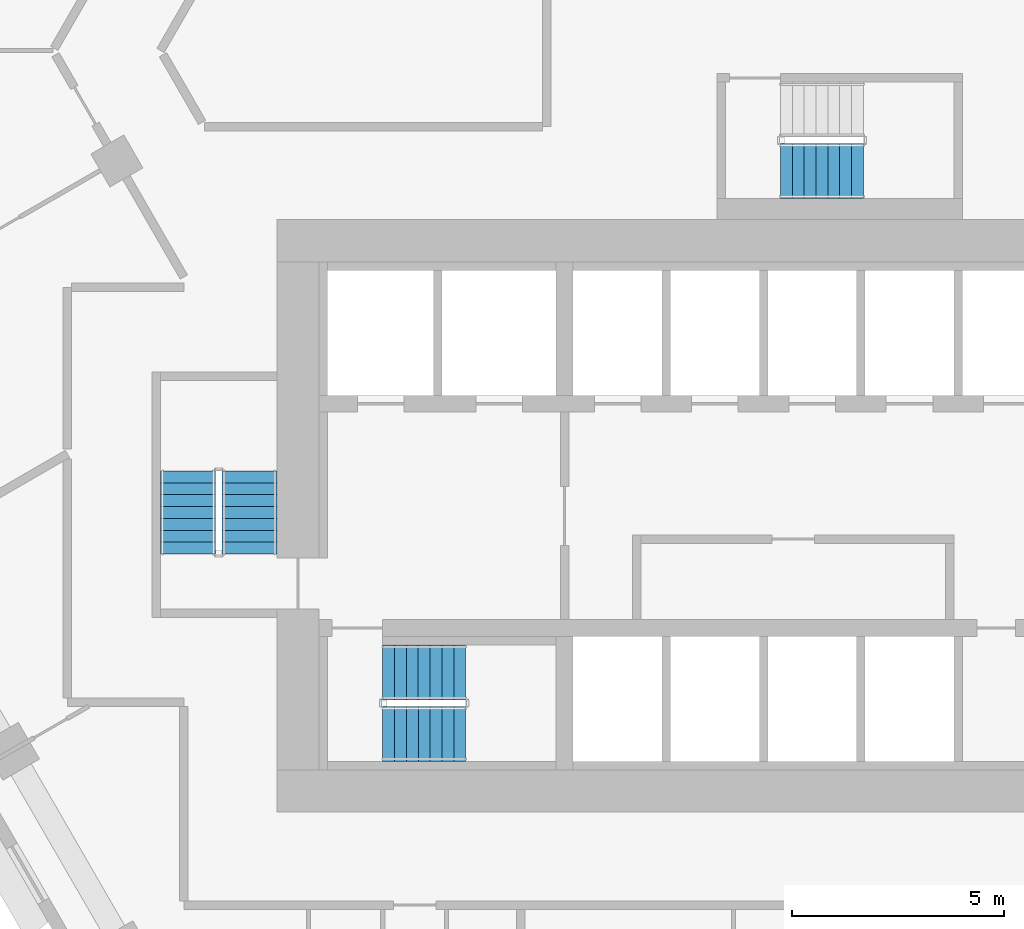
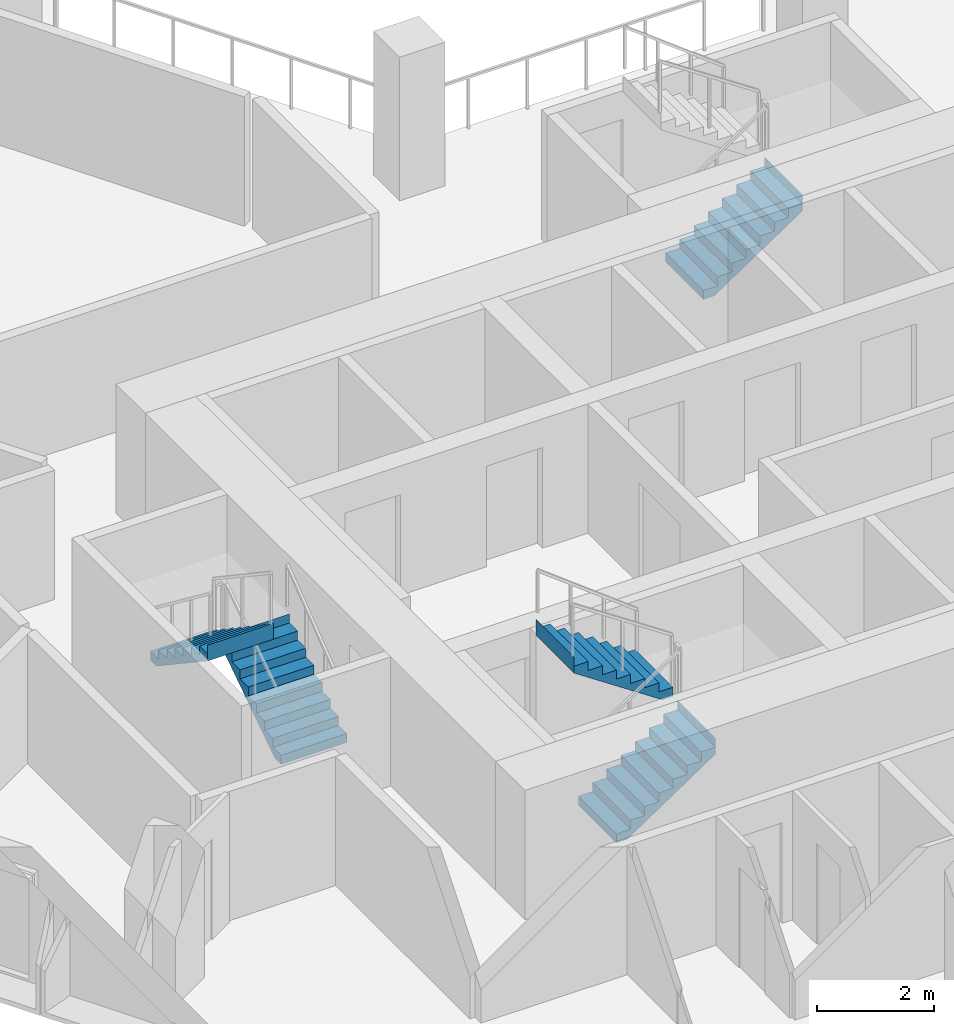
# One storey, part 10 of 15: 5 stair flights, 3 elements without a shape of their own.
"""IFC4 building model written with IfcOpenShell, lengths in metres."""

from ifc_helpers import new_model, si_unit, direction, frame, origin, place, context, subcontext, project, spatial, triangles, material, type_object, element, aggregate, save


model = new_model("IFC4")

# Units and contexts
model_context = context("Model", 3, precision=1e-05, world=origin(), true_north=direction((0.0, 1.0)))
body_context = subcontext(model_context, "Body", "Model", "MODEL_VIEW")
ifc_project = project(units=[si_unit("LENGTHUNIT", "METRE"), si_unit("AREAUNIT", "SQUARE_METRE"), si_unit("VOLUMEUNIT", "CUBIC_METRE"), si_unit("PLANEANGLEUNIT", "RADIAN"), si_unit("MASSUNIT", "GRAM", prefix="KILO")], contexts=[model_context])

# Site, building, storey
site_placement = place(None, origin())
site = spatial("IfcSite", under=ifc_project, at=site_placement, CompositionType="ELEMENT")
building_placement = place(site_placement, origin())
building = spatial("IfcBuilding", under=site, at=building_placement, Name="Beryl Residences", CompositionType="ELEMENT")
storey_placement = place(building_placement, frame((0.0, 0.0, 84.0)))
storey = spatial("IfcBuildingStorey", under=building, at=storey_placement, Name="L25", CompositionType="ELEMENT", Elevation=84.0)

# Stair, stair flights
ifc_material_1 = material(Name="Concrete C40/50", Category="concrete")
stair_type = type_object("IfcStairType", Name="ST1 protected exit stair, half-turn, 1300 mm flights", PredefinedType="HALF_TURN_STAIR", material=ifc_material_1)
stair_1_placement = place(storey_placement, origin())
stair_1 = element("IfcStair", 1, at=stair_1_placement, inside=storey, type_object=stair_type, Name="L25 PROTECTED EXIT STAIR ST-1", PredefinedType="HALF_TURN_STAIR")
ifc_material_2 = material(Name="Concrete C40/50", Category="concrete")
stair_flight_type = type_object("IfcStairFlightType", Name="SF1 stair flight 1300 mm", PredefinedType="STRAIGHT", material=ifc_material_2)
stair_flight_1_placement = place(storey_placement, frame((-10.800048828125, -17.14990234375, 0.0), z_axis=(0.0, 0.0, 1.0), x_axis=(1.0, 0.0, 0.0)))
stair_flight_1 = element("IfcStairFlight", 2, at=stair_flight_1_placement, type_object=stair_flight_type, Name="ST-1 flight 1", NumberOfRisers=8, NumberOfTreads=7, PredefinedType="STRAIGHT", RiserHeight=0.1875, TreadLength=0.28, context=body_context, shape_type="Tessellation", body=[
    triangles([(0.0, -0.64990234375, 0.0), (0.0, -0.324951171875, 0.0), (0.0, 0.0, 0.0), (0.0, 0.324951171875, 0.0), (0.0, 0.64990234375, 0.0), (0.0, -0.64990234375, 0.1875), (0.0, -0.324951171875, 0.1875), (0.0, 0.0, 0.1875), (0.0, 0.324951171875, 0.1875), (0.0, 0.64990234375, 0.1875), (0.280029296875, -0.64990234375, 0.1875), (0.280029296875, -0.324951171875, 0.1875), (0.280029296875, 0.0, 0.1875), (0.280029296875, 0.324951171875, 0.1875), (0.280029296875, 0.64990234375, 0.1875), (0.280029296875, -0.64990234375, 0.375), (0.280029296875, -0.324951171875, 0.375), (0.280029296875, 0.0, 0.375), (0.280029296875, 0.324951171875, 0.375), (0.280029296875, 0.64990234375, 0.375), (0.56005859375, -0.64990234375, 0.375), (0.56005859375, -0.324951171875, 0.375), (0.56005859375, 0.0, 0.375), (0.56005859375, 0.324951171875, 0.375), (0.56005859375, 0.64990234375, 0.375), (0.56005859375, -0.64990234375, 0.5625), (0.56005859375, -0.324951171875, 0.5625), (0.56005859375, 0.0, 0.5625), (0.56005859375, 0.324951171875, 0.5625), (0.56005859375, 0.64990234375, 0.5625), (0.840087890625, -0.64990234375, 0.5625), (0.840087890625, -0.324951171875, 0.5625), (0.840087890625, 0.0, 0.5625), (0.840087890625, 0.324951171875, 0.5625), (0.840087890625, 0.64990234375, 0.5625), (0.840087890625, -0.64990234375, 0.75), (0.840087890625, -0.324951171875, 0.75), (0.840087890625, 0.0, 0.75), (0.840087890625, 0.324951171875, 0.75), (0.840087890625, 0.64990234375, 0.75), (1.1201171875, -0.64990234375, 0.75), (1.1201171875, -0.324951171875, 0.75), (1.1201171875, 0.0, 0.75), (1.1201171875, 0.324951171875, 0.75), (1.1201171875, 0.64990234375, 0.75), (1.1201171875, -0.64990234375, 0.9375), (1.1201171875, -0.324951171875, 0.9375), (1.1201171875, 0.0, 0.9375), (1.1201171875, 0.324951171875, 0.9375), (1.1201171875, 0.64990234375, 0.9375), (1.39990234375, -0.64990234375, 0.9375), (1.39990234375, -0.324951171875, 0.9375), (1.39990234375, 0.0, 0.9375), (1.39990234375, 0.324951171875, 0.9375), (1.39990234375, 0.64990234375, 0.9375), (1.39990234375, -0.64990234375, 1.125), (1.39990234375, -0.324951171875, 1.125), (1.39990234375, 0.0, 1.125), (1.39990234375, 0.324951171875, 1.125), (1.39990234375, 0.64990234375, 1.125), (1.679931640625, -0.64990234375, 1.125), (1.679931640625, -0.324951171875, 1.125), (1.679931640625, 0.0, 1.125), (1.679931640625, 0.324951171875, 1.125), (1.679931640625, 0.64990234375, 1.125), (1.679931640625, -0.64990234375, 1.3125), (1.679931640625, -0.324951171875, 1.3125), (1.679931640625, 0.0, 1.3125), (1.679931640625, 0.324951171875, 1.3125), (1.679931640625, 0.64990234375, 1.3125), (1.9599609375, -0.64990234375, 1.3125), (1.9599609375, -0.324951171875, 1.3125), (1.9599609375, 0.0, 1.3125), (1.9599609375, 0.324951171875, 1.3125), (1.9599609375, 0.64990234375, 1.3125), (1.9599609375, -0.64990234375, 1.5), (1.9599609375, -0.324951171875, 1.5), (1.9599609375, 0.0, 1.5), (1.9599609375, 0.324951171875, 1.5), (1.9599609375, 0.64990234375, 1.5), (1.9609375, -0.64990234375, 1.5), (1.9609375, -0.324951171875, 1.5), (1.9609375, 0.0, 1.5), (1.9609375, 0.324951171875, 1.5), (1.9609375, 0.64990234375, 1.5), (1.9609375, -0.64990234375, 1.16796875), (1.9609375, -0.324951171875, 1.16796875), (1.9609375, 0.0, 1.16796875), (1.9609375, 0.324951171875, 1.16796875), (1.9609375, 0.64990234375, 1.16796875), (0.216796875, -0.64990234375, 0.0), (0.216796875, -0.324951171875, 0.0), (0.216796875, 0.0, 0.0), (0.216796875, 0.324951171875, 0.0), (0.216796875, 0.64990234375, 0.0)], [[1, 6, 7], [1, 7, 2], [2, 7, 8], [2, 8, 3], [3, 8, 9], [3, 9, 4], [4, 9, 10], [4, 10, 5], [6, 11, 12], [6, 12, 7], [7, 12, 13], [7, 13, 8], [8, 13, 14], [8, 14, 9], [9, 14, 15], [9, 15, 10], [11, 16, 17], [11, 17, 12], [12, 17, 18], [12, 18, 13], [13, 18, 19], [13, 19, 14], [14, 19, 20], [14, 20, 15], [16, 21, 22], [16, 22, 17], [17, 22, 23], [17, 23, 18], [18, 23, 24], [18, 24, 19], [19, 24, 25], [19, 25, 20], [21, 26, 27], [21, 27, 22], [22, 27, 28], [22, 28, 23], [23, 28, 29], [23, 29, 24], [24, 29, 30], [24, 30, 25], [26, 31, 32], [26, 32, 27], [27, 32, 33], [27, 33, 28], [28, 33, 34], [28, 34, 29], [29, 34, 35], [29, 35, 30], [31, 36, 37], [31, 37, 32], [32, 37, 38], [32, 38, 33], [33, 38, 39], [33, 39, 34], [34, 39, 40], [34, 40, 35], [36, 41, 42], [36, 42, 37], [37, 42, 43], [37, 43, 38], [38, 43, 44], [38, 44, 39], [39, 44, 45], [39, 45, 40], [41, 46, 47], [41, 47, 42], [42, 47, 48], [42, 48, 43], [43, 48, 49], [43, 49, 44], [44, 49, 50], [44, 50, 45], [46, 51, 52], [46, 52, 47], [47, 52, 53], [47, 53, 48], [48, 53, 54], [48, 54, 49], [49, 54, 55], [49, 55, 50], [51, 56, 57], [51, 57, 52], [52, 57, 58], [52, 58, 53], [53, 58, 59], [53, 59, 54], [54, 59, 60], [54, 60, 55], [56, 61, 62], [56, 62, 57], [57, 62, 63], [57, 63, 58], [58, 63, 64], [58, 64, 59], [59, 64, 65], [59, 65, 60], [61, 66, 67], [61, 67, 62], [62, 67, 68], [62, 68, 63], [63, 68, 69], [63, 69, 64], [64, 69, 70], [64, 70, 65], [66, 71, 72], [66, 72, 67], [67, 72, 73], [67, 73, 68], [68, 73, 74], [68, 74, 69], [69, 74, 75], [69, 75, 70], [71, 76, 77], [71, 77, 72], [72, 77, 78], [72, 78, 73], [73, 78, 79], [73, 79, 74], [74, 79, 80], [74, 80, 75], [76, 81, 82], [76, 82, 77], [77, 82, 83], [77, 83, 78], [78, 83, 84], [78, 84, 79], [79, 84, 85], [79, 85, 80], [81, 86, 87], [81, 87, 82], [82, 87, 88], [82, 88, 83], [83, 88, 89], [83, 89, 84], [84, 89, 90], [84, 90, 85], [86, 91, 92], [86, 92, 87], [87, 92, 93], [87, 93, 88], [88, 93, 94], [88, 94, 89], [89, 94, 95], [89, 95, 90], [91, 1, 2], [91, 2, 92], [92, 2, 3], [92, 3, 93], [93, 3, 4], [93, 4, 94], [94, 4, 5], [94, 5, 95], [1, 91, 86], [5, 90, 95], [86, 81, 76], [90, 80, 85], [86, 76, 71], [90, 75, 80], [86, 71, 66], [90, 70, 75], [86, 66, 61], [90, 65, 70], [61, 56, 51], [65, 55, 60], [86, 61, 51], [90, 55, 65], [51, 46, 41], [55, 45, 50], [86, 51, 41], [90, 45, 55], [41, 36, 31], [45, 35, 40], [86, 41, 31], [90, 35, 45], [31, 26, 21], [35, 25, 30], [86, 31, 21], [90, 25, 35], [21, 16, 11], [25, 15, 20], [86, 21, 11], [90, 15, 25], [1, 86, 11], [5, 15, 90], [11, 6, 1], [15, 5, 10]], closed=True),
])
stair_flight_2_placement = place(storey_placement, frame((-8.840087890625, -15.699951171875, 1.5), z_axis=(0.0, 0.0, 1.0), x_axis=(-1.0, 0.0, 0.0)))
stair_flight_2 = element("IfcStairFlight", 3, at=stair_flight_2_placement, type_object=stair_flight_type, Name="ST-1 flight 2", NumberOfRisers=8, NumberOfTreads=7, PredefinedType="STRAIGHT", RiserHeight=0.1875, TreadLength=0.28, context=body_context, shape_type="Tessellation", body=[
    triangles([(0.0, -0.64990234375, 0.0), (0.0, -0.324951171875, 0.0), (0.0, 0.0, 0.0), (0.0, 0.324951171875, 0.0), (0.0, 0.64990234375, 0.0), (0.0, -0.64990234375, 0.1875), (0.0, -0.324951171875, 0.1875), (0.0, 0.0, 0.1875), (0.0, 0.324951171875, 0.1875), (0.0, 0.64990234375, 0.1875), (0.280029296875, -0.64990234375, 0.1875), (0.280029296875, -0.324951171875, 0.1875), (0.280029296875, 0.0, 0.1875), (0.280029296875, 0.324951171875, 0.1875), (0.280029296875, 0.64990234375, 0.1875), (0.280029296875, -0.64990234375, 0.375), (0.280029296875, -0.324951171875, 0.375), (0.280029296875, 0.0, 0.375), (0.280029296875, 0.324951171875, 0.375), (0.280029296875, 0.64990234375, 0.375), (0.56005859375, -0.64990234375, 0.375), (0.56005859375, -0.324951171875, 0.375), (0.56005859375, 0.0, 0.375), (0.56005859375, 0.324951171875, 0.375), (0.56005859375, 0.64990234375, 0.375), (0.56005859375, -0.64990234375, 0.5625), (0.56005859375, -0.324951171875, 0.5625), (0.56005859375, 0.0, 0.5625), (0.56005859375, 0.324951171875, 0.5625), (0.56005859375, 0.64990234375, 0.5625), (0.840087890625, -0.64990234375, 0.5625), (0.840087890625, -0.324951171875, 0.5625), (0.840087890625, 0.0, 0.5625), (0.840087890625, 0.324951171875, 0.5625), (0.840087890625, 0.64990234375, 0.5625), (0.840087890625, -0.64990234375, 0.75), (0.840087890625, -0.324951171875, 0.75), (0.840087890625, 0.0, 0.75), (0.840087890625, 0.324951171875, 0.75), (0.840087890625, 0.64990234375, 0.75), (1.1201171875, -0.64990234375, 0.75), (1.1201171875, -0.324951171875, 0.75), (1.1201171875, 0.0, 0.75), (1.1201171875, 0.324951171875, 0.75), (1.1201171875, 0.64990234375, 0.75), (1.1201171875, -0.64990234375, 0.9375), (1.1201171875, -0.324951171875, 0.9375), (1.1201171875, 0.0, 0.9375), (1.1201171875, 0.324951171875, 0.9375), (1.1201171875, 0.64990234375, 0.9375), (1.39990234375, -0.64990234375, 0.9375), (1.39990234375, -0.324951171875, 0.9375), (1.39990234375, 0.0, 0.9375), (1.39990234375, 0.324951171875, 0.9375), (1.39990234375, 0.64990234375, 0.9375), (1.39990234375, -0.64990234375, 1.125), (1.39990234375, -0.324951171875, 1.125), (1.39990234375, 0.0, 1.125), (1.39990234375, 0.324951171875, 1.125), (1.39990234375, 0.64990234375, 1.125), (1.679931640625, -0.64990234375, 1.125), (1.679931640625, -0.324951171875, 1.125), (1.679931640625, 0.0, 1.125), (1.679931640625, 0.324951171875, 1.125), (1.679931640625, 0.64990234375, 1.125), (1.679931640625, -0.64990234375, 1.3125), (1.679931640625, -0.324951171875, 1.3125), (1.679931640625, 0.0, 1.3125), (1.679931640625, 0.324951171875, 1.3125), (1.679931640625, 0.64990234375, 1.3125), (1.9599609375, -0.64990234375, 1.3125), (1.9599609375, -0.324951171875, 1.3125), (1.9599609375, 0.0, 1.3125), (1.9599609375, 0.324951171875, 1.3125), (1.9599609375, 0.64990234375, 1.3125), (1.9599609375, -0.64990234375, 1.5), (1.9599609375, -0.324951171875, 1.5), (1.9599609375, 0.0, 1.5), (1.9599609375, 0.324951171875, 1.5), (1.9599609375, 0.64990234375, 1.5), (1.9609375, -0.64990234375, 1.5), (1.9609375, -0.324951171875, 1.5), (1.9609375, 0.0, 1.5), (1.9609375, 0.324951171875, 1.5), (1.9609375, 0.64990234375, 1.5), (1.9609375, -0.64990234375, 1.16796875), (1.9609375, -0.324951171875, 1.16796875), (1.9609375, 0.0, 1.16796875), (1.9609375, 0.324951171875, 1.16796875), (1.9609375, 0.64990234375, 1.16796875), (0.216796875, -0.64990234375, 0.0), (0.216796875, -0.324951171875, 0.0), (0.216796875, 0.0, 0.0), (0.216796875, 0.324951171875, 0.0), (0.216796875, 0.64990234375, 0.0)], [[1, 6, 7], [1, 7, 2], [2, 7, 8], [2, 8, 3], [3, 8, 9], [3, 9, 4], [4, 9, 10], [4, 10, 5], [6, 11, 12], [6, 12, 7], [7, 12, 13], [7, 13, 8], [8, 13, 14], [8, 14, 9], [9, 14, 15], [9, 15, 10], [11, 16, 17], [11, 17, 12], [12, 17, 18], [12, 18, 13], [13, 18, 19], [13, 19, 14], [14, 19, 20], [14, 20, 15], [16, 21, 22], [16, 22, 17], [17, 22, 23], [17, 23, 18], [18, 23, 24], [18, 24, 19], [19, 24, 25], [19, 25, 20], [21, 26, 27], [21, 27, 22], [22, 27, 28], [22, 28, 23], [23, 28, 29], [23, 29, 24], [24, 29, 30], [24, 30, 25], [26, 31, 32], [26, 32, 27], [27, 32, 33], [27, 33, 28], [28, 33, 34], [28, 34, 29], [29, 34, 35], [29, 35, 30], [31, 36, 37], [31, 37, 32], [32, 37, 38], [32, 38, 33], [33, 38, 39], [33, 39, 34], [34, 39, 40], [34, 40, 35], [36, 41, 42], [36, 42, 37], [37, 42, 43], [37, 43, 38], [38, 43, 44], [38, 44, 39], [39, 44, 45], [39, 45, 40], [41, 46, 47], [41, 47, 42], [42, 47, 48], [42, 48, 43], [43, 48, 49], [43, 49, 44], [44, 49, 50], [44, 50, 45], [46, 51, 52], [46, 52, 47], [47, 52, 53], [47, 53, 48], [48, 53, 54], [48, 54, 49], [49, 54, 55], [49, 55, 50], [51, 56, 57], [51, 57, 52], [52, 57, 58], [52, 58, 53], [53, 58, 59], [53, 59, 54], [54, 59, 60], [54, 60, 55], [56, 61, 62], [56, 62, 57], [57, 62, 63], [57, 63, 58], [58, 63, 64], [58, 64, 59], [59, 64, 65], [59, 65, 60], [61, 66, 67], [61, 67, 62], [62, 67, 68], [62, 68, 63], [63, 68, 69], [63, 69, 64], [64, 69, 70], [64, 70, 65], [66, 71, 72], [66, 72, 67], [67, 72, 73], [67, 73, 68], [68, 73, 74], [68, 74, 69], [69, 74, 75], [69, 75, 70], [71, 76, 77], [71, 77, 72], [72, 77, 78], [72, 78, 73], [73, 78, 79], [73, 79, 74], [74, 79, 80], [74, 80, 75], [76, 81, 82], [76, 82, 77], [77, 82, 83], [77, 83, 78], [78, 83, 84], [78, 84, 79], [79, 84, 85], [79, 85, 80], [81, 86, 87], [81, 87, 82], [82, 87, 88], [82, 88, 83], [83, 88, 89], [83, 89, 84], [84, 89, 90], [84, 90, 85], [86, 91, 92], [86, 92, 87], [87, 92, 93], [87, 93, 88], [88, 93, 94], [88, 94, 89], [89, 94, 95], [89, 95, 90], [91, 1, 2], [91, 2, 92], [92, 2, 3], [92, 3, 93], [93, 3, 4], [93, 4, 94], [94, 4, 5], [94, 5, 95], [1, 91, 86], [5, 90, 95], [86, 81, 76], [90, 80, 85], [86, 76, 71], [90, 75, 80], [86, 71, 66], [90, 70, 75], [86, 66, 61], [90, 65, 70], [61, 56, 51], [65, 55, 60], [86, 61, 51], [90, 55, 65], [51, 46, 41], [55, 45, 50], [86, 51, 41], [90, 45, 55], [41, 36, 31], [45, 35, 40], [86, 41, 31], [90, 35, 45], [31, 26, 21], [35, 25, 30], [86, 31, 21], [90, 25, 35], [21, 16, 11], [25, 15, 20], [86, 21, 11], [90, 15, 25], [1, 86, 11], [5, 15, 90], [11, 6, 1], [15, 5, 10]], closed=True),
])
aggregate(stair_1, [stair_flight_1, stair_flight_2])

stair_2_placement = place(storey_placement, origin())
stair_2 = element("IfcStair", 4, at=stair_2_placement, inside=storey, type_object=stair_type, Name="L25 PROTECTED EXIT STAIR ST-2", PredefinedType="HALF_TURN_STAIR")
stair_flight_3_placement = place(storey_placement, frame((-13.949951171875, -12.89990234375, 0.0), z_axis=(0.0, 0.0, 1.0), x_axis=(0.0, 1.0, 0.0)))
stair_flight_3 = element("IfcStairFlight", 5, at=stair_flight_3_placement, type_object=stair_flight_type, Name="ST-2 flight 1", NumberOfRisers=8, NumberOfTreads=7, PredefinedType="STRAIGHT", RiserHeight=0.1875, TreadLength=0.28, context=body_context, shape_type="Tessellation", body=[
    triangles([(0.0, -0.64990234375, 0.0), (0.0, -0.324951171875, 0.0), (0.0, 0.0, 0.0), (0.0, 0.324951171875, 0.0), (0.0, 0.64990234375, 0.0), (0.0, -0.64990234375, 0.1875), (0.0, -0.324951171875, 0.1875), (0.0, 0.0, 0.1875), (0.0, 0.324951171875, 0.1875), (0.0, 0.64990234375, 0.1875), (0.280029296875, -0.64990234375, 0.1875), (0.280029296875, -0.324951171875, 0.1875), (0.280029296875, 0.0, 0.1875), (0.280029296875, 0.324951171875, 0.1875), (0.280029296875, 0.64990234375, 0.1875), (0.280029296875, -0.64990234375, 0.375), (0.280029296875, -0.324951171875, 0.375), (0.280029296875, 0.0, 0.375), (0.280029296875, 0.324951171875, 0.375), (0.280029296875, 0.64990234375, 0.375), (0.56005859375, -0.64990234375, 0.375), (0.56005859375, -0.324951171875, 0.375), (0.56005859375, 0.0, 0.375), (0.56005859375, 0.324951171875, 0.375), (0.56005859375, 0.64990234375, 0.375), (0.56005859375, -0.64990234375, 0.5625), (0.56005859375, -0.324951171875, 0.5625), (0.56005859375, 0.0, 0.5625), (0.56005859375, 0.324951171875, 0.5625), (0.56005859375, 0.64990234375, 0.5625), (0.840087890625, -0.64990234375, 0.5625), (0.840087890625, -0.324951171875, 0.5625), (0.840087890625, 0.0, 0.5625), (0.840087890625, 0.324951171875, 0.5625), (0.840087890625, 0.64990234375, 0.5625), (0.840087890625, -0.64990234375, 0.75), (0.840087890625, -0.324951171875, 0.75), (0.840087890625, 0.0, 0.75), (0.840087890625, 0.324951171875, 0.75), (0.840087890625, 0.64990234375, 0.75), (1.1201171875, -0.64990234375, 0.75), (1.1201171875, -0.324951171875, 0.75), (1.1201171875, 0.0, 0.75), (1.1201171875, 0.324951171875, 0.75), (1.1201171875, 0.64990234375, 0.75), (1.1201171875, -0.64990234375, 0.9375), (1.1201171875, -0.324951171875, 0.9375), (1.1201171875, 0.0, 0.9375), (1.1201171875, 0.324951171875, 0.9375), (1.1201171875, 0.64990234375, 0.9375), (1.39990234375, -0.64990234375, 0.9375), (1.39990234375, -0.324951171875, 0.9375), (1.39990234375, 0.0, 0.9375), (1.39990234375, 0.324951171875, 0.9375), (1.39990234375, 0.64990234375, 0.9375), (1.39990234375, -0.64990234375, 1.125), (1.39990234375, -0.324951171875, 1.125), (1.39990234375, 0.0, 1.125), (1.39990234375, 0.324951171875, 1.125), (1.39990234375, 0.64990234375, 1.125), (1.679931640625, -0.64990234375, 1.125), (1.679931640625, -0.324951171875, 1.125), (1.679931640625, 0.0, 1.125), (1.679931640625, 0.324951171875, 1.125), (1.679931640625, 0.64990234375, 1.125), (1.679931640625, -0.64990234375, 1.3125), (1.679931640625, -0.324951171875, 1.3125), (1.679931640625, 0.0, 1.3125), (1.679931640625, 0.324951171875, 1.3125), (1.679931640625, 0.64990234375, 1.3125), (1.9599609375, -0.64990234375, 1.3125), (1.9599609375, -0.324951171875, 1.3125), (1.9599609375, 0.0, 1.3125), (1.9599609375, 0.324951171875, 1.3125), (1.9599609375, 0.64990234375, 1.3125), (1.9599609375, -0.64990234375, 1.5), (1.9599609375, -0.324951171875, 1.5), (1.9599609375, 0.0, 1.5), (1.9599609375, 0.324951171875, 1.5), (1.9599609375, 0.64990234375, 1.5), (1.9609375, -0.64990234375, 1.5), (1.9609375, -0.324951171875, 1.5), (1.9609375, 0.0, 1.5), (1.9609375, 0.324951171875, 1.5), (1.9609375, 0.64990234375, 1.5), (1.9609375, -0.64990234375, 1.16796875), (1.9609375, -0.324951171875, 1.16796875), (1.9609375, 0.0, 1.16796875), (1.9609375, 0.324951171875, 1.16796875), (1.9609375, 0.64990234375, 1.16796875), (0.216796875, -0.64990234375, 0.0), (0.216796875, -0.324951171875, 0.0), (0.216796875, 0.0, 0.0), (0.216796875, 0.324951171875, 0.0), (0.216796875, 0.64990234375, 0.0)], [[1, 6, 7], [1, 7, 2], [2, 7, 8], [2, 8, 3], [3, 8, 9], [3, 9, 4], [4, 9, 10], [4, 10, 5], [6, 11, 12], [6, 12, 7], [7, 12, 13], [7, 13, 8], [8, 13, 14], [8, 14, 9], [9, 14, 15], [9, 15, 10], [11, 16, 17], [11, 17, 12], [12, 17, 18], [12, 18, 13], [13, 18, 19], [13, 19, 14], [14, 19, 20], [14, 20, 15], [16, 21, 22], [16, 22, 17], [17, 22, 23], [17, 23, 18], [18, 23, 24], [18, 24, 19], [19, 24, 25], [19, 25, 20], [21, 26, 27], [21, 27, 22], [22, 27, 28], [22, 28, 23], [23, 28, 29], [23, 29, 24], [24, 29, 30], [24, 30, 25], [26, 31, 32], [26, 32, 27], [27, 32, 33], [27, 33, 28], [28, 33, 34], [28, 34, 29], [29, 34, 35], [29, 35, 30], [31, 36, 37], [31, 37, 32], [32, 37, 38], [32, 38, 33], [33, 38, 39], [33, 39, 34], [34, 39, 40], [34, 40, 35], [36, 41, 42], [36, 42, 37], [37, 42, 43], [37, 43, 38], [38, 43, 44], [38, 44, 39], [39, 44, 45], [39, 45, 40], [41, 46, 47], [41, 47, 42], [42, 47, 48], [42, 48, 43], [43, 48, 49], [43, 49, 44], [44, 49, 50], [44, 50, 45], [46, 51, 52], [46, 52, 47], [47, 52, 53], [47, 53, 48], [48, 53, 54], [48, 54, 49], [49, 54, 55], [49, 55, 50], [51, 56, 57], [51, 57, 52], [52, 57, 58], [52, 58, 53], [53, 58, 59], [53, 59, 54], [54, 59, 60], [54, 60, 55], [56, 61, 62], [56, 62, 57], [57, 62, 63], [57, 63, 58], [58, 63, 64], [58, 64, 59], [59, 64, 65], [59, 65, 60], [61, 66, 67], [61, 67, 62], [62, 67, 68], [62, 68, 63], [63, 68, 69], [63, 69, 64], [64, 69, 70], [64, 70, 65], [66, 71, 72], [66, 72, 67], [67, 72, 73], [67, 73, 68], [68, 73, 74], [68, 74, 69], [69, 74, 75], [69, 75, 70], [71, 76, 77], [71, 77, 72], [72, 77, 78], [72, 78, 73], [73, 78, 79], [73, 79, 74], [74, 79, 80], [74, 80, 75], [76, 81, 82], [76, 82, 77], [77, 82, 83], [77, 83, 78], [78, 83, 84], [78, 84, 79], [79, 84, 85], [79, 85, 80], [81, 86, 87], [81, 87, 82], [82, 87, 88], [82, 88, 83], [83, 88, 89], [83, 89, 84], [84, 89, 90], [84, 90, 85], [86, 91, 92], [86, 92, 87], [87, 92, 93], [87, 93, 88], [88, 93, 94], [88, 94, 89], [89, 94, 95], [89, 95, 90], [91, 1, 2], [91, 2, 92], [92, 2, 3], [92, 3, 93], [93, 3, 4], [93, 4, 94], [94, 4, 5], [94, 5, 95], [1, 91, 86], [5, 90, 95], [86, 81, 76], [90, 80, 85], [86, 76, 71], [90, 75, 80], [86, 71, 66], [90, 70, 75], [86, 66, 61], [90, 65, 70], [61, 56, 51], [65, 55, 60], [86, 61, 51], [90, 55, 65], [51, 46, 41], [55, 45, 50], [86, 51, 41], [90, 45, 55], [41, 36, 31], [45, 35, 40], [86, 41, 31], [90, 35, 45], [31, 26, 21], [35, 25, 30], [86, 31, 21], [90, 25, 35], [21, 16, 11], [25, 15, 20], [86, 21, 11], [90, 15, 25], [1, 86, 11], [5, 15, 90], [11, 6, 1], [15, 5, 10]], closed=True),
])
stair_flight_4_placement = place(storey_placement, frame((-15.39990234375, -10.93994140625, 1.5), z_axis=(0.0, 0.0, 1.0), x_axis=(0.0, -1.0, 0.0)))
stair_flight_4 = element("IfcStairFlight", 6, at=stair_flight_4_placement, type_object=stair_flight_type, Name="ST-2 flight 2", NumberOfRisers=8, NumberOfTreads=7, PredefinedType="STRAIGHT", RiserHeight=0.1875, TreadLength=0.28, context=body_context, shape_type="Tessellation", body=[
    triangles([(0.0, -0.64990234375, 0.0), (0.0, -0.324951171875, 0.0), (0.0, 0.0, 0.0), (0.0, 0.324951171875, 0.0), (0.0, 0.64990234375, 0.0), (0.0, -0.64990234375, 0.1875), (0.0, -0.324951171875, 0.1875), (0.0, 0.0, 0.1875), (0.0, 0.324951171875, 0.1875), (0.0, 0.64990234375, 0.1875), (0.280029296875, -0.64990234375, 0.1875), (0.280029296875, -0.324951171875, 0.1875), (0.280029296875, 0.0, 0.1875), (0.280029296875, 0.324951171875, 0.1875), (0.280029296875, 0.64990234375, 0.1875), (0.280029296875, -0.64990234375, 0.375), (0.280029296875, -0.324951171875, 0.375), (0.280029296875, 0.0, 0.375), (0.280029296875, 0.324951171875, 0.375), (0.280029296875, 0.64990234375, 0.375), (0.56005859375, -0.64990234375, 0.375), (0.56005859375, -0.324951171875, 0.375), (0.56005859375, 0.0, 0.375), (0.56005859375, 0.324951171875, 0.375), (0.56005859375, 0.64990234375, 0.375), (0.56005859375, -0.64990234375, 0.5625), (0.56005859375, -0.324951171875, 0.5625), (0.56005859375, 0.0, 0.5625), (0.56005859375, 0.324951171875, 0.5625), (0.56005859375, 0.64990234375, 0.5625), (0.840087890625, -0.64990234375, 0.5625), (0.840087890625, -0.324951171875, 0.5625), (0.840087890625, 0.0, 0.5625), (0.840087890625, 0.324951171875, 0.5625), (0.840087890625, 0.64990234375, 0.5625), (0.840087890625, -0.64990234375, 0.75), (0.840087890625, -0.324951171875, 0.75), (0.840087890625, 0.0, 0.75), (0.840087890625, 0.324951171875, 0.75), (0.840087890625, 0.64990234375, 0.75), (1.1201171875, -0.64990234375, 0.75), (1.1201171875, -0.324951171875, 0.75), (1.1201171875, 0.0, 0.75), (1.1201171875, 0.324951171875, 0.75), (1.1201171875, 0.64990234375, 0.75), (1.1201171875, -0.64990234375, 0.9375), (1.1201171875, -0.324951171875, 0.9375), (1.1201171875, 0.0, 0.9375), (1.1201171875, 0.324951171875, 0.9375), (1.1201171875, 0.64990234375, 0.9375), (1.39990234375, -0.64990234375, 0.9375), (1.39990234375, -0.324951171875, 0.9375), (1.39990234375, 0.0, 0.9375), (1.39990234375, 0.324951171875, 0.9375), (1.39990234375, 0.64990234375, 0.9375), (1.39990234375, -0.64990234375, 1.125), (1.39990234375, -0.324951171875, 1.125), (1.39990234375, 0.0, 1.125), (1.39990234375, 0.324951171875, 1.125), (1.39990234375, 0.64990234375, 1.125), (1.679931640625, -0.64990234375, 1.125), (1.679931640625, -0.324951171875, 1.125), (1.679931640625, 0.0, 1.125), (1.679931640625, 0.324951171875, 1.125), (1.679931640625, 0.64990234375, 1.125), (1.679931640625, -0.64990234375, 1.3125), (1.679931640625, -0.324951171875, 1.3125), (1.679931640625, 0.0, 1.3125), (1.679931640625, 0.324951171875, 1.3125), (1.679931640625, 0.64990234375, 1.3125), (1.9599609375, -0.64990234375, 1.3125), (1.9599609375, -0.324951171875, 1.3125), (1.9599609375, 0.0, 1.3125), (1.9599609375, 0.324951171875, 1.3125), (1.9599609375, 0.64990234375, 1.3125), (1.9599609375, -0.64990234375, 1.5), (1.9599609375, -0.324951171875, 1.5), (1.9599609375, 0.0, 1.5), (1.9599609375, 0.324951171875, 1.5), (1.9599609375, 0.64990234375, 1.5), (1.9609375, -0.64990234375, 1.5), (1.9609375, -0.324951171875, 1.5), (1.9609375, 0.0, 1.5), (1.9609375, 0.324951171875, 1.5), (1.9609375, 0.64990234375, 1.5), (1.9609375, -0.64990234375, 1.16796875), (1.9609375, -0.324951171875, 1.16796875), (1.9609375, 0.0, 1.16796875), (1.9609375, 0.324951171875, 1.16796875), (1.9609375, 0.64990234375, 1.16796875), (0.216796875, -0.64990234375, 0.0), (0.216796875, -0.324951171875, 0.0), (0.216796875, 0.0, 0.0), (0.216796875, 0.324951171875, 0.0), (0.216796875, 0.64990234375, 0.0)], [[1, 6, 7], [1, 7, 2], [2, 7, 8], [2, 8, 3], [3, 8, 9], [3, 9, 4], [4, 9, 10], [4, 10, 5], [6, 11, 12], [6, 12, 7], [7, 12, 13], [7, 13, 8], [8, 13, 14], [8, 14, 9], [9, 14, 15], [9, 15, 10], [11, 16, 17], [11, 17, 12], [12, 17, 18], [12, 18, 13], [13, 18, 19], [13, 19, 14], [14, 19, 20], [14, 20, 15], [16, 21, 22], [16, 22, 17], [17, 22, 23], [17, 23, 18], [18, 23, 24], [18, 24, 19], [19, 24, 25], [19, 25, 20], [21, 26, 27], [21, 27, 22], [22, 27, 28], [22, 28, 23], [23, 28, 29], [23, 29, 24], [24, 29, 30], [24, 30, 25], [26, 31, 32], [26, 32, 27], [27, 32, 33], [27, 33, 28], [28, 33, 34], [28, 34, 29], [29, 34, 35], [29, 35, 30], [31, 36, 37], [31, 37, 32], [32, 37, 38], [32, 38, 33], [33, 38, 39], [33, 39, 34], [34, 39, 40], [34, 40, 35], [36, 41, 42], [36, 42, 37], [37, 42, 43], [37, 43, 38], [38, 43, 44], [38, 44, 39], [39, 44, 45], [39, 45, 40], [41, 46, 47], [41, 47, 42], [42, 47, 48], [42, 48, 43], [43, 48, 49], [43, 49, 44], [44, 49, 50], [44, 50, 45], [46, 51, 52], [46, 52, 47], [47, 52, 53], [47, 53, 48], [48, 53, 54], [48, 54, 49], [49, 54, 55], [49, 55, 50], [51, 56, 57], [51, 57, 52], [52, 57, 58], [52, 58, 53], [53, 58, 59], [53, 59, 54], [54, 59, 60], [54, 60, 55], [56, 61, 62], [56, 62, 57], [57, 62, 63], [57, 63, 58], [58, 63, 64], [58, 64, 59], [59, 64, 65], [59, 65, 60], [61, 66, 67], [61, 67, 62], [62, 67, 68], [62, 68, 63], [63, 68, 69], [63, 69, 64], [64, 69, 70], [64, 70, 65], [66, 71, 72], [66, 72, 67], [67, 72, 73], [67, 73, 68], [68, 73, 74], [68, 74, 69], [69, 74, 75], [69, 75, 70], [71, 76, 77], [71, 77, 72], [72, 77, 78], [72, 78, 73], [73, 78, 79], [73, 79, 74], [74, 79, 80], [74, 80, 75], [76, 81, 82], [76, 82, 77], [77, 82, 83], [77, 83, 78], [78, 83, 84], [78, 84, 79], [79, 84, 85], [79, 85, 80], [81, 86, 87], [81, 87, 82], [82, 87, 88], [82, 88, 83], [83, 88, 89], [83, 89, 84], [84, 89, 90], [84, 90, 85], [86, 91, 92], [86, 92, 87], [87, 92, 93], [87, 93, 88], [88, 93, 94], [88, 94, 89], [89, 94, 95], [89, 95, 90], [91, 1, 2], [91, 2, 92], [92, 2, 3], [92, 3, 93], [93, 3, 4], [93, 4, 94], [94, 4, 5], [94, 5, 95], [1, 91, 86], [5, 90, 95], [86, 81, 76], [90, 80, 85], [86, 76, 71], [90, 75, 80], [86, 71, 66], [90, 70, 75], [86, 66, 61], [90, 65, 70], [61, 56, 51], [65, 55, 60], [86, 61, 51], [90, 55, 65], [51, 46, 41], [55, 45, 50], [86, 51, 41], [90, 45, 55], [41, 36, 31], [45, 35, 40], [86, 41, 31], [90, 35, 45], [31, 26, 21], [35, 25, 30], [86, 31, 21], [90, 25, 35], [21, 16, 11], [25, 15, 20], [86, 21, 11], [90, 15, 25], [1, 86, 11], [5, 15, 90], [11, 6, 1], [15, 5, 10]], closed=True),
])
aggregate(stair_2, [stair_flight_3, stair_flight_4])

# Stair, stair flight
stair_3_placement = place(storey_placement, origin())
stair_3 = element("IfcStair", 7, at=stair_3_placement, inside=storey, type_object=stair_type, Name="L25 PROTECTED EXIT STAIR ST-4", PredefinedType="HALF_TURN_STAIR")
stair_flight_5_placement = place(storey_placement, frame((-1.39990234375, -3.85009765625, 0.0), z_axis=(0.0, 0.0, 1.0), x_axis=(1.0, 0.0, 0.0)))
stair_flight_5 = element("IfcStairFlight", 8, at=stair_flight_5_placement, type_object=stair_flight_type, Name="ST-4 flight 1", NumberOfRisers=8, NumberOfTreads=7, PredefinedType="STRAIGHT", RiserHeight=0.1875, TreadLength=0.28, context=body_context, shape_type="Tessellation", body=[
    triangles([(0.0, -0.64990234375, 0.0), (0.0, -0.324951171875, 0.0), (0.0, 0.0, 0.0), (0.0, 0.324951171875, 0.0), (0.0, 0.64990234375, 0.0), (0.0, -0.64990234375, 0.1875), (0.0, -0.324951171875, 0.1875), (0.0, 0.0, 0.1875), (0.0, 0.324951171875, 0.1875), (0.0, 0.64990234375, 0.1875), (0.280029296875, -0.64990234375, 0.1875), (0.280029296875, -0.324951171875, 0.1875), (0.280029296875, 0.0, 0.1875), (0.280029296875, 0.324951171875, 0.1875), (0.280029296875, 0.64990234375, 0.1875), (0.280029296875, -0.64990234375, 0.375), (0.280029296875, -0.324951171875, 0.375), (0.280029296875, 0.0, 0.375), (0.280029296875, 0.324951171875, 0.375), (0.280029296875, 0.64990234375, 0.375), (0.56005859375, -0.64990234375, 0.375), (0.56005859375, -0.324951171875, 0.375), (0.56005859375, 0.0, 0.375), (0.56005859375, 0.324951171875, 0.375), (0.56005859375, 0.64990234375, 0.375), (0.56005859375, -0.64990234375, 0.5625), (0.56005859375, -0.324951171875, 0.5625), (0.56005859375, 0.0, 0.5625), (0.56005859375, 0.324951171875, 0.5625), (0.56005859375, 0.64990234375, 0.5625), (0.840087890625, -0.64990234375, 0.5625), (0.840087890625, -0.324951171875, 0.5625), (0.840087890625, 0.0, 0.5625), (0.840087890625, 0.324951171875, 0.5625), (0.840087890625, 0.64990234375, 0.5625), (0.840087890625, -0.64990234375, 0.75), (0.840087890625, -0.324951171875, 0.75), (0.840087890625, 0.0, 0.75), (0.840087890625, 0.324951171875, 0.75), (0.840087890625, 0.64990234375, 0.75), (1.1201171875, -0.64990234375, 0.75), (1.1201171875, -0.324951171875, 0.75), (1.1201171875, 0.0, 0.75), (1.1201171875, 0.324951171875, 0.75), (1.1201171875, 0.64990234375, 0.75), (1.1201171875, -0.64990234375, 0.9375), (1.1201171875, -0.324951171875, 0.9375), (1.1201171875, 0.0, 0.9375), (1.1201171875, 0.324951171875, 0.9375), (1.1201171875, 0.64990234375, 0.9375), (1.39990234375, -0.64990234375, 0.9375), (1.39990234375, -0.324951171875, 0.9375), (1.39990234375, 0.0, 0.9375), (1.39990234375, 0.324951171875, 0.9375), (1.39990234375, 0.64990234375, 0.9375), (1.39990234375, -0.64990234375, 1.125), (1.39990234375, -0.324951171875, 1.125), (1.39990234375, 0.0, 1.125), (1.39990234375, 0.324951171875, 1.125), (1.39990234375, 0.64990234375, 1.125), (1.679931640625, -0.64990234375, 1.125), (1.679931640625, -0.324951171875, 1.125), (1.679931640625, 0.0, 1.125), (1.679931640625, 0.324951171875, 1.125), (1.679931640625, 0.64990234375, 1.125), (1.679931640625, -0.64990234375, 1.3125), (1.679931640625, -0.324951171875, 1.3125), (1.679931640625, 0.0, 1.3125), (1.679931640625, 0.324951171875, 1.3125), (1.679931640625, 0.64990234375, 1.3125), (1.9599609375, -0.64990234375, 1.3125), (1.9599609375, -0.324951171875, 1.3125), (1.9599609375, 0.0, 1.3125), (1.9599609375, 0.324951171875, 1.3125), (1.9599609375, 0.64990234375, 1.3125), (1.9599609375, -0.64990234375, 1.5), (1.9599609375, -0.324951171875, 1.5), (1.9599609375, 0.0, 1.5), (1.9599609375, 0.324951171875, 1.5), (1.9599609375, 0.64990234375, 1.5), (1.9609375, -0.64990234375, 1.5), (1.9609375, -0.324951171875, 1.5), (1.9609375, 0.0, 1.5), (1.9609375, 0.324951171875, 1.5), (1.9609375, 0.64990234375, 1.5), (1.9609375, -0.64990234375, 1.16796875), (1.9609375, -0.324951171875, 1.16796875), (1.9609375, 0.0, 1.16796875), (1.9609375, 0.324951171875, 1.16796875), (1.9609375, 0.64990234375, 1.16796875), (0.216796875, -0.64990234375, 0.0), (0.216796875, -0.324951171875, 0.0), (0.216796875, 0.0, 0.0), (0.216796875, 0.324951171875, 0.0), (0.216796875, 0.64990234375, 0.0)], [[1, 6, 7], [1, 7, 2], [2, 7, 8], [2, 8, 3], [3, 8, 9], [3, 9, 4], [4, 9, 10], [4, 10, 5], [6, 11, 12], [6, 12, 7], [7, 12, 13], [7, 13, 8], [8, 13, 14], [8, 14, 9], [9, 14, 15], [9, 15, 10], [11, 16, 17], [11, 17, 12], [12, 17, 18], [12, 18, 13], [13, 18, 19], [13, 19, 14], [14, 19, 20], [14, 20, 15], [16, 21, 22], [16, 22, 17], [17, 22, 23], [17, 23, 18], [18, 23, 24], [18, 24, 19], [19, 24, 25], [19, 25, 20], [21, 26, 27], [21, 27, 22], [22, 27, 28], [22, 28, 23], [23, 28, 29], [23, 29, 24], [24, 29, 30], [24, 30, 25], [26, 31, 32], [26, 32, 27], [27, 32, 33], [27, 33, 28], [28, 33, 34], [28, 34, 29], [29, 34, 35], [29, 35, 30], [31, 36, 37], [31, 37, 32], [32, 37, 38], [32, 38, 33], [33, 38, 39], [33, 39, 34], [34, 39, 40], [34, 40, 35], [36, 41, 42], [36, 42, 37], [37, 42, 43], [37, 43, 38], [38, 43, 44], [38, 44, 39], [39, 44, 45], [39, 45, 40], [41, 46, 47], [41, 47, 42], [42, 47, 48], [42, 48, 43], [43, 48, 49], [43, 49, 44], [44, 49, 50], [44, 50, 45], [46, 51, 52], [46, 52, 47], [47, 52, 53], [47, 53, 48], [48, 53, 54], [48, 54, 49], [49, 54, 55], [49, 55, 50], [51, 56, 57], [51, 57, 52], [52, 57, 58], [52, 58, 53], [53, 58, 59], [53, 59, 54], [54, 59, 60], [54, 60, 55], [56, 61, 62], [56, 62, 57], [57, 62, 63], [57, 63, 58], [58, 63, 64], [58, 64, 59], [59, 64, 65], [59, 65, 60], [61, 66, 67], [61, 67, 62], [62, 67, 68], [62, 68, 63], [63, 68, 69], [63, 69, 64], [64, 69, 70], [64, 70, 65], [66, 71, 72], [66, 72, 67], [67, 72, 73], [67, 73, 68], [68, 73, 74], [68, 74, 69], [69, 74, 75], [69, 75, 70], [71, 76, 77], [71, 77, 72], [72, 77, 78], [72, 78, 73], [73, 78, 79], [73, 79, 74], [74, 79, 80], [74, 80, 75], [76, 81, 82], [76, 82, 77], [77, 82, 83], [77, 83, 78], [78, 83, 84], [78, 84, 79], [79, 84, 85], [79, 85, 80], [81, 86, 87], [81, 87, 82], [82, 87, 88], [82, 88, 83], [83, 88, 89], [83, 89, 84], [84, 89, 90], [84, 90, 85], [86, 91, 92], [86, 92, 87], [87, 92, 93], [87, 93, 88], [88, 93, 94], [88, 94, 89], [89, 94, 95], [89, 95, 90], [91, 1, 2], [91, 2, 92], [92, 2, 3], [92, 3, 93], [93, 3, 4], [93, 4, 94], [94, 4, 5], [94, 5, 95], [1, 91, 86], [5, 90, 95], [86, 81, 76], [90, 80, 85], [86, 76, 71], [90, 75, 80], [86, 71, 66], [90, 70, 75], [86, 66, 61], [90, 65, 70], [61, 56, 51], [65, 55, 60], [86, 61, 51], [90, 55, 65], [51, 46, 41], [55, 45, 50], [86, 51, 41], [90, 45, 55], [41, 36, 31], [45, 35, 40], [86, 41, 31], [90, 35, 45], [31, 26, 21], [35, 25, 30], [86, 31, 21], [90, 25, 35], [21, 16, 11], [25, 15, 20], [86, 21, 11], [90, 15, 25], [1, 86, 11], [5, 15, 90], [11, 6, 1], [15, 5, 10]], closed=True),
])
aggregate(stair_3, [stair_flight_5])

save(model, "model.ifc")
